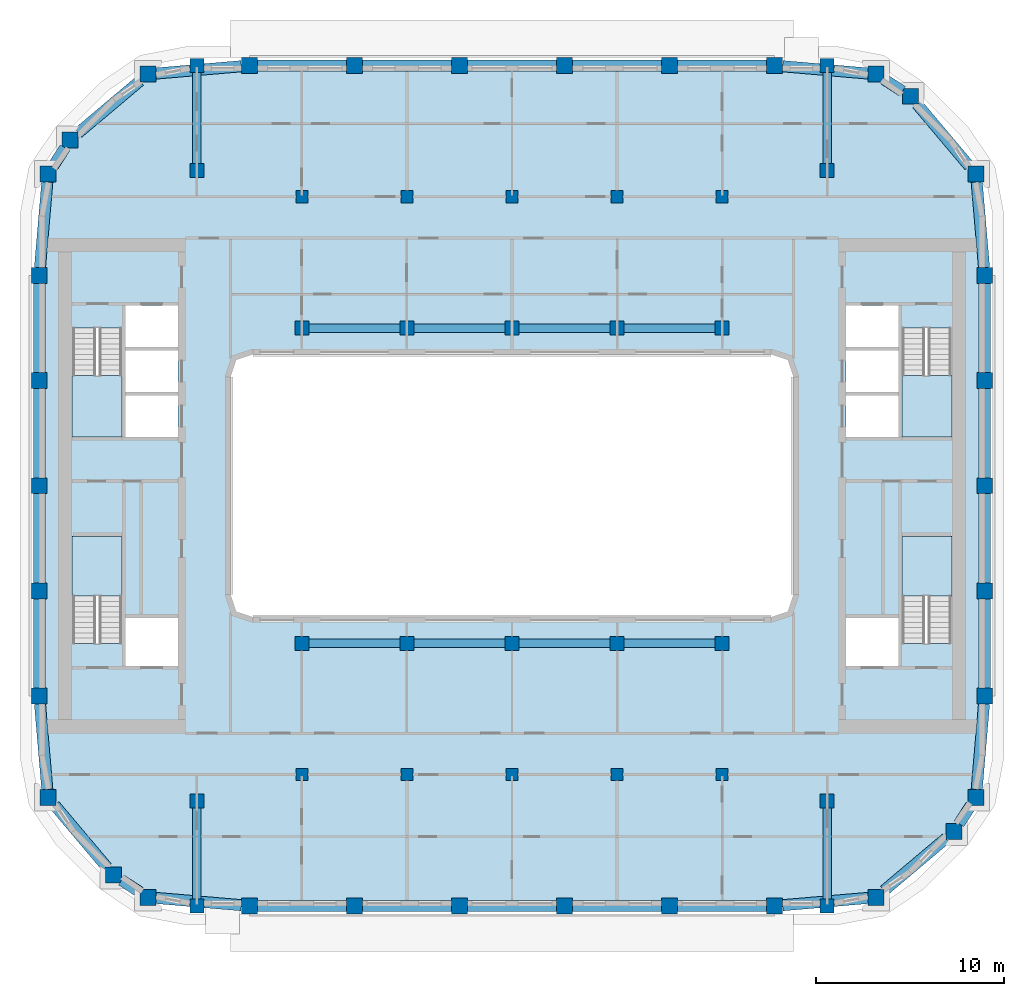
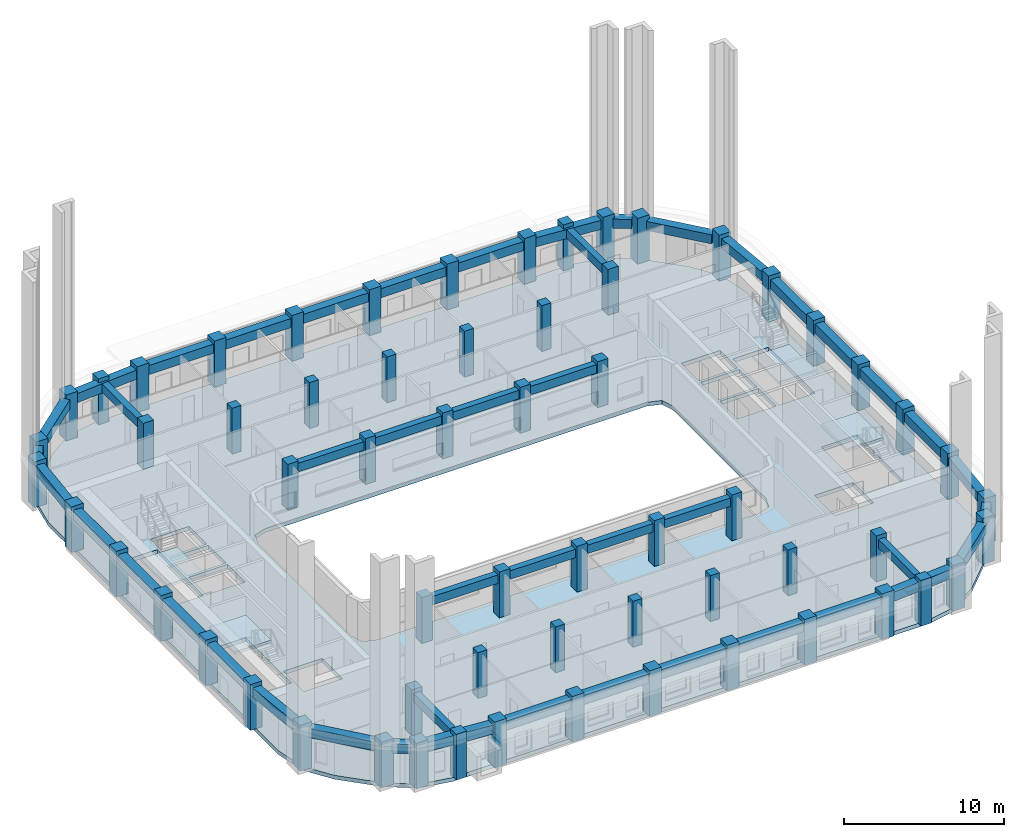
# One storey, part 1 of 21: 62 columns, 46 beams, 5 slabs, 4 elements without a shape of their own.
"""IFC4 building model written with IfcOpenShell, lengths in metres."""

import ifcopenshell
import ifcopenshell.guid

model = None  # the IFC model being written
_history = None  # IfcOwnerHistory: only IFC2X3 demands one
_inside = {}  # id of a spatial element -> (the spatial element, [elements in it])
_under = {}  # id of a project, library or spatial element -> (it, [spatial elements below it])
_declared = {}  # id of a project -> (the project, [libraries it declares])
_typed = {}  # id of a type object -> (the type object, [elements of that type])
_made_of = {}  # id of a material, layer set ... -> (it, [elements and type objects made of it])


def new_model(schema):
    """Start an empty IFC model of exactly this schema.

    Asked for "IFC4X3", IfcOpenShell would pick the latest addendum, in which some entities
    have other attributes; the version numbers below select the first issue.
    IFC2X3 requires an IfcOwnerHistory on every rooted entity: one is made here for all.
    """
    global model, _history
    if schema == "IFC4X3":
        model = ifcopenshell.file(schema_version=(4, 3, 0, 0))
    else:
        model = ifcopenshell.file(schema=schema)
    _inside.clear()
    _under.clear()
    _declared.clear()
    _typed.clear()
    _made_of.clear()
    _history = None
    if model.schema == "IFC2X3":
        org = make("IfcOrganization", Name="unknown")
        user = make(
            "IfcPersonAndOrganization",
            ThePerson=make("IfcPerson", FamilyName="unknown"),
            TheOrganization=org,
        )
        app = make(
            "IfcApplication",
            ApplicationDeveloper=org,
            Version="unknown",
            ApplicationFullName="unknown",
            ApplicationIdentifier="unknown",
        )
        _history = make(
            "IfcOwnerHistory",
            OwningUser=user,
            OwningApplication=app,
            ChangeAction="ADDED",
            CreationDate=0,
        )
    return model


def make(cls, **values):
    """One entity of the class cls with the attributes given. An attribute that is None is left unset."""
    return model.create_entity(
        cls, **{name: value for name, value in values.items() if value is not None}
    )


def rooted(cls, **values):
    """An entity with a GlobalId (a new one), such as an element, a storey or a relation."""
    return make(cls, GlobalId=ifcopenshell.guid.new(), OwnerHistory=_history, **values)


def si_unit(unit_type, name, prefix=None):
    """IfcSIUnit, for example si_unit("LENGTHUNIT", "METRE", prefix="MILLI")."""
    return make("IfcSIUnit", UnitType=unit_type, Prefix=prefix, Name=name)


def assignment(units):
    """IfcUnitAssignment: the units of a project."""
    return None if units is None else make("IfcUnitAssignment", Units=units)


def point(xyz):
    """IfcCartesianPoint."""
    return None if xyz is None else make("IfcCartesianPoint", Coordinates=xyz)


def direction(xyz):
    """IfcDirection."""
    return None if xyz is None else make("IfcDirection", DirectionRatios=xyz)


def frame(location, z_axis=None, x_axis=None):
    """IfcAxis2Placement3D, a coordinate frame: its origin and axes. An axis left out is left unset."""
    return make(
        "IfcAxis2Placement3D",
        Location=point(location),
        Axis=direction(z_axis),
        RefDirection=direction(x_axis),
    )


def frame_2d(location, x_axis=None):
    """IfcAxis2Placement2D, a coordinate frame in the plane: its origin and x axis."""
    return make(
        "IfcAxis2Placement2D", Location=point(location), RefDirection=direction(x_axis)
    )


def origin():
    """The frame at (0, 0, 0) with its axes left unset."""
    return frame((0.0, 0.0, 0.0))


def origin_2d():
    """The frame at (0, 0) in the plane with its x axis left unset."""
    return frame_2d((0.0, 0.0))


def place(relative_to, where):
    """IfcLocalPlacement: puts the frame where relative to a parent placement (None: the world)."""
    return make(
        "IfcLocalPlacement", PlacementRelTo=relative_to, RelativePlacement=where
    )


def context(
    kind, dimensions, precision=None, world=None, true_north=None, identifier=None
):
    """IfcGeometricRepresentationContext, for example the 3D "Model" context."""
    return make(
        "IfcGeometricRepresentationContext",
        ContextIdentifier=identifier,
        ContextType=kind,
        CoordinateSpaceDimension=dimensions,
        Precision=precision,
        WorldCoordinateSystem=world,
        TrueNorth=true_north,
    )


def subcontext(parent, identifier, kind, view, scale=None):
    """IfcGeometricRepresentationSubContext, for example "Body" below "Model"."""
    return make(
        "IfcGeometricRepresentationSubContext",
        ContextIdentifier=identifier,
        ContextType=kind,
        ParentContext=parent,
        TargetScale=scale,
        TargetView=view,
    )


def project(units=None, contexts=None):
    """IfcProject with its units and contexts."""
    return rooted(
        "IfcProject",
        Name="project",
        RepresentationContexts=contexts,
        UnitsInContext=assignment(units),
    )


def spatial(cls, under=None, at=None, **own):
    """A site, building, storey or space (cls), placed at a placement, below another one or the project."""
    s = rooted(cls, ObjectPlacement=at, **own)
    if under is not None:
        _under.setdefault(under.id(), (under, []))[1].append(s)
    return s


def polyline(points):
    """IfcPolyline through the points."""
    return make("IfcPolyline", Points=[point(p) for p in points])


def profile(cls, at=None, kind="AREA", **sizes):
    """A parametric profile (cls). Its sizes go by their IFC names, for example OverallWidth=200.0."""
    return make(cls, ProfileType=kind, Position=at, **sizes)


def rectangle(**sizes):
    """IfcRectangleProfileDef."""
    return profile("IfcRectangleProfileDef", **sizes)


def outline(outer, holes=None, kind="AREA"):
    """IfcArbitraryClosedProfileDef: a profile drawn as a closed curve; with holes, ...WithVoids."""
    if holes is None:
        return make("IfcArbitraryClosedProfileDef", ProfileType=kind, OuterCurve=outer)
    return make(
        "IfcArbitraryProfileDefWithVoids",
        ProfileType=kind,
        OuterCurve=outer,
        InnerCurves=holes,
    )


def extrude(swept, where, along, depth):
    """IfcExtrudedAreaSolid: the profile swept, set in the frame where, extruded along a direction by depth."""
    return make(
        "IfcExtrudedAreaSolid",
        SweptArea=swept,
        Position=where,
        ExtrudedDirection=direction(along),
        Depth=depth,
    )


def shape(context_of_items, identifier, shape_type, items):
    """IfcShapeRepresentation: the items that make up one representation, for example the "Body"."""
    return make(
        "IfcShapeRepresentation",
        ContextOfItems=context_of_items,
        RepresentationIdentifier=identifier,
        RepresentationType=shape_type,
        Items=items,
    )


def material(Name=None, Category=None):
    """IfcMaterial."""
    return make("IfcMaterial", Name=Name, Category=Category)


def layer(
    of_material, thickness, ventilated=None, Name=None, Category=None, Priority=None
):
    """IfcMaterialLayer: one layer of a wall or slab, of a material (None: an air gap)."""
    return make(
        "IfcMaterialLayer",
        Material=of_material,
        LayerThickness=thickness,
        IsVentilated=ventilated,
        Name=Name,
        Category=Category,
        Priority=Priority,
    )


def layer_set(layers, Name=None):
    """IfcMaterialLayerSet."""
    return make("IfcMaterialLayerSet", MaterialLayers=layers, LayerSetName=Name)


def material_profile(
    of_material, cross_section, Name=None, Category=None, Priority=None
):
    """IfcMaterialProfile: a cross section and its material."""
    return make(
        "IfcMaterialProfile",
        Name=Name,
        Material=of_material,
        Profile=cross_section,
        Priority=Priority,
        Category=Category,
    )


def profile_set(profiles, Name=None, composite=None):
    """IfcMaterialProfileSet."""
    return make(
        "IfcMaterialProfileSet",
        Name=Name,
        MaterialProfiles=profiles,
        CompositeProfile=composite,
    )


def made_of(thing, what):
    """Note that an element or type object is made of a material, layer set ...; save() writes the relation."""
    if what is not None:
        _made_of.setdefault(what.id(), (what, []))[1].append(thing)
    return thing


def type_object(cls, material=None, **own):
    """A type object (cls), such as IfcWallType, which elements share."""
    return made_of(rooted(cls, **own), material)


def element(
    cls,
    number,
    at=None,
    inside=None,
    cuts=None,
    type_object=None,
    material=None,
    context=None,
    identifier="Body",
    shape_type=None,
    held_by="IfcProductDefinitionShape",
    body=None,
    shapes=None,
    **own,
):
    """One element of the class cls, such as IfcWall. Its Tag is "e" and its number.

    at: its placement. inside: the storey or other place that contains it. cuts: it is an
    opening in that element (IfcRelVoidsElement). A single representation is given by context,
    identifier, shape_type and body (its items); several are given by shapes. held_by: the class
    of the entity that holds the representations. save() writes the other relations.
    """
    e = rooted(cls, Tag="e%d" % number, ObjectPlacement=at, **own)
    if body is not None:
        shapes = [shape(context, identifier, shape_type, body)]
    if shapes is not None:
        e.Representation = make(held_by, Representations=shapes)
    if inside is not None:
        _inside.setdefault(inside.id(), (inside, []))[1].append(e)
    if cuts is not None:
        rooted(
            "IfcRelVoidsElement", RelatingBuildingElement=cuts, RelatedOpeningElement=e
        )
    if type_object is not None:
        _typed.setdefault(type_object.id(), (type_object, []))[1].append(e)
    return made_of(e, material)


def aggregate(whole, parts):
    """IfcRelAggregates: a whole, such as a stair, and the parts it consists of."""
    return rooted("IfcRelAggregates", RelatingObject=whole, RelatedObjects=parts)


def save(model, path):
    """Write the relations noted so far, then the file.

    IfcRelAggregates (storeys below a building ...), IfcRelContainedInSpatialStructure (elements
    in a storey), IfcRelDefinesByType, IfcRelAssociatesMaterial and IfcRelDeclares: one each for
    every whole, place, type object, material and project.
    """
    for whole, parts in _under.values():
        aggregate(whole, parts)
    for where, things in _inside.values():
        rooted(
            "IfcRelContainedInSpatialStructure",
            RelatedElements=things,
            RelatingStructure=where,
        )
    for kind, things in _typed.values():
        rooted("IfcRelDefinesByType", RelatedObjects=things, RelatingType=kind)
    for what, things in _made_of.values():
        rooted("IfcRelAssociatesMaterial", RelatedObjects=things, RelatingMaterial=what)
    for by, libraries in _declared.values():
        rooted("IfcRelDeclares", RelatingContext=by, RelatedDefinitions=libraries)
    model.write(path)


model = new_model("IFC4")

# Units and contexts
model_context = context("Model", 3, precision=1e-05, world=origin(), true_north=direction((0.0, 1.0)))
body_context = subcontext(model_context, "Body", "Model", "MODEL_VIEW")
ifc_project = project(units=[si_unit("LENGTHUNIT", "METRE"), si_unit("AREAUNIT", "SQUARE_METRE"), si_unit("VOLUMEUNIT", "CUBIC_METRE"), si_unit("PLANEANGLEUNIT", "RADIAN"), si_unit("MASSUNIT", "GRAM", prefix="KILO")], contexts=[model_context])

# Site, building, storey
site_placement = place(None, origin())
site = spatial("IfcSite", under=ifc_project, at=site_placement, CompositionType="ELEMENT")
building_placement = place(site_placement, origin())
building = spatial("IfcBuilding", under=site, at=building_placement, Name="Kiln Ring Residences", CompositionType="ELEMENT")
storey_placement = place(building_placement, frame((0.0, 0.0, 213.39990234375)))
storey = spatial("IfcBuildingStorey", under=building, at=storey_placement, Name="L55", CompositionType="ELEMENT", Elevation=213.39990234375)

# Columns
ifc_material_1 = material(Name="Concrete C70/85", Category="concrete")
ifc_material_profile_1 = material_profile(ifc_material_1, rectangle(XDim=0.64990234375, YDim=0.64990234375, at=origin_2d()), Name="RC650x650")
ifc_profile_set_1 = profile_set([ifc_material_profile_1], Name="Concrete C70/85")
column_type_1 = type_object("IfcColumnType", Name="Corridor column RC650x650 C70/85", PredefinedType="COLUMN", material=ifc_profile_set_1)
for number, where, z_axis, x_axis, name in (
    (1, (-11.199951171875, 15.39990234375, 0.0), (0.0, 0.0, 1.0), (1.0, 0.0, 0.0), "Corridor column L55 1"),
    (2, (-5.60009765625, 15.39990234375, 0.0), (0.0, 0.0, 1.0), (1.0, 0.0, 0.0), "Corridor column L55 2"),
    (3, (0.0, 15.39990234375, 0.0), (0.0, 0.0, 1.0), (1.0, 0.0, 0.0), "Corridor column L55 3"),
    (4, (5.60009765625, 15.39990234375, 0.0), (0.0, 0.0, 1.0), (1.0, 0.0, 0.0), "Corridor column L55 4"),
    (5, (11.199951171875, 15.39990234375, 0.0), (0.0, 0.0, 1.0), (1.0, 0.0, 0.0), "Corridor column L55 5"),
    (6, (-11.199951171875, -15.39990234375, 0.0), (0.0, 0.0, 1.0), (1.0, 0.0, 0.0), "Corridor column L55 6"),
    (7, (-5.60009765625, -15.39990234375, 0.0), (0.0, 0.0, 1.0), (1.0, 0.0, 0.0), "Corridor column L55 7"),
    (8, (0.0, -15.39990234375, 0.0), (0.0, 0.0, 1.0), (1.0, 0.0, 0.0), "Corridor column L55 8"),
    (9, (5.60009765625, -15.39990234375, 0.0), (0.0, 0.0, 1.0), (1.0, 0.0, 0.0), "Corridor column L55 9"),
    (10, (11.199951171875, -15.39990234375, 0.0), (0.0, 0.0, 1.0), (1.0, 0.0, 0.0), "Corridor column L55 10"),
):
    element("IfcColumn", number, at=place(storey_placement, frame(where, z_axis=z_axis, x_axis=x_axis)), inside=storey, type_object=column_type_1, Name=name, PredefinedType="COLUMN", context=body_context, shape_type="SweptSolid", body=[
        extrude(rectangle(XDim=0.64990234375, YDim=0.64990234375, at=origin_2d()), origin(), (0.0, 0.0, 1.0), 3.5),
    ])
ifc_material_2 = material(Name="Concrete C70/85", Category="concrete")
ifc_material_profile_2 = material_profile(ifc_material_2, rectangle(XDim=0.85009765625, YDim=0.85009765625, at=origin_2d()), Name="RC850x850")
ifc_profile_set_2 = profile_set([ifc_material_profile_2], Name="Concrete C70/85")
column_type_2 = type_object("IfcColumnType", Name="Perimeter column RC850x850 C70/85", PredefinedType="COLUMN", material=ifc_profile_set_2)
for number, where, z_axis, x_axis, name in (
    (11, (-19.40869140625, -21.93798828125, 0.0), (0.0, 0.0, 1.0), (1.0, 0.0, 0.0), "Perimeter column L55 1"),
    (12, (-14.0, -22.39990234375, 0.0), (0.0, 0.0, 1.0), (1.0, 0.0, 0.0), "Perimeter column L55 2"),
    (13, (-8.39990234375, -22.39990234375, 0.0), (0.0, 0.0, 1.0), (1.0, 0.0, 0.0), "Perimeter column L55 3"),
    (14, (-2.800048828125, -22.39990234375, 0.0), (0.0, 0.0, 1.0), (1.0, 0.0, 0.0), "Perimeter column L55 4"),
    (15, (2.800048828125, -22.39990234375, 0.0), (0.0, 0.0, 1.0), (1.0, 0.0, 0.0), "Perimeter column L55 5"),
    (16, (8.39990234375, -22.39990234375, 0.0), (0.0, 0.0, 1.0), (1.0, 0.0, 0.0), "Perimeter column L55 6"),
    (17, (14.0, -22.39990234375, 0.0), (0.0, 0.0, 1.0), (1.0, 0.0, 0.0), "Perimeter column L55 7"),
    (18, (19.40869140625, -21.93798828125, 0.0), (0.0, 0.0, 1.0), (1.0, 0.0, 0.0), "Perimeter column L55 8"),
    (19, (23.559814453125, -18.440185546875, 0.0), (0.0, 0.0, 1.0), (1.0, 0.0, 0.0), "Perimeter column L55 9"),
    (20, (24.738037109375, -16.608642578125, 0.0), (0.0, 0.0, 1.0), (1.0, 0.0, 0.0), "Perimeter column L55 10"),
    (21, (25.199951171875, -11.199951171875, 0.0), (0.0, 0.0, 1.0), (1.0, 0.0, 0.0), "Perimeter column L55 11"),
    (22, (25.199951171875, -5.60009765625, 0.0), (0.0, 0.0, 1.0), (1.0, 0.0, 0.0), "Perimeter column L55 12"),
    (23, (25.199951171875, 0.0, 0.0), (0.0, 0.0, 1.0), (1.0, 0.0, 0.0), "Perimeter column L55 13"),
    (24, (25.199951171875, 5.60009765625, 0.0), (0.0, 0.0, 1.0), (1.0, 0.0, 0.0), "Perimeter column L55 14"),
    (25, (25.199951171875, 11.199951171875, 0.0), (0.0, 0.0, 1.0), (1.0, 0.0, 0.0), "Perimeter column L55 15"),
    (26, (24.738037109375, 16.608642578125, 0.0), (0.0, 0.0, 1.0), (1.0, 0.0, 0.0), "Perimeter column L55 16"),
    (27, (21.240234375, 20.759765625, 0.0), (0.0, 0.0, 1.0), (1.0, 0.0, 0.0), "Perimeter column L55 17"),
    (28, (19.40869140625, 21.93798828125, 0.0), (0.0, 0.0, 1.0), (1.0, 0.0, 0.0), "Perimeter column L55 18"),
    (29, (14.0, 22.39990234375, 0.0), (0.0, 0.0, 1.0), (1.0, 0.0, 0.0), "Perimeter column L55 19"),
    (30, (8.39990234375, 22.39990234375, 0.0), (0.0, 0.0, 1.0), (1.0, 0.0, 0.0), "Perimeter column L55 20"),
    (31, (2.800048828125, 22.39990234375, 0.0), (0.0, 0.0, 1.0), (1.0, 0.0, 0.0), "Perimeter column L55 21"),
    (32, (-2.800048828125, 22.39990234375, 0.0), (0.0, 0.0, 1.0), (1.0, 0.0, 0.0), "Perimeter column L55 22"),
    (33, (-8.39990234375, 22.39990234375, 0.0), (0.0, 0.0, 1.0), (1.0, 0.0, 0.0), "Perimeter column L55 23"),
    (34, (-14.0, 22.39990234375, 0.0), (0.0, 0.0, 1.0), (1.0, 0.0, 0.0), "Perimeter column L55 24"),
    (35, (-19.40869140625, 21.93798828125, 0.0), (0.0, 0.0, 1.0), (1.0, 0.0, 0.0), "Perimeter column L55 25"),
    (36, (-23.559814453125, 18.440185546875, 0.0), (0.0, 0.0, 1.0), (1.0, 0.0, 0.0), "Perimeter column L55 26"),
    (37, (-24.738037109375, 16.608642578125, 0.0), (0.0, 0.0, 1.0), (1.0, 0.0, 0.0), "Perimeter column L55 27"),
    (38, (-25.199951171875, 11.199951171875, 0.0), (0.0, 0.0, 1.0), (1.0, 0.0, 0.0), "Perimeter column L55 28"),
    (39, (-25.199951171875, 5.60009765625, 0.0), (0.0, 0.0, 1.0), (1.0, 0.0, 0.0), "Perimeter column L55 29"),
    (40, (-25.199951171875, 0.0, 0.0), (0.0, 0.0, 1.0), (1.0, 0.0, 0.0), "Perimeter column L55 30"),
    (41, (-25.199951171875, -5.60009765625, 0.0), (0.0, 0.0, 1.0), (1.0, 0.0, 0.0), "Perimeter column L55 31"),
    (42, (-25.199951171875, -11.199951171875, 0.0), (0.0, 0.0, 1.0), (1.0, 0.0, 0.0), "Perimeter column L55 32"),
    (43, (-24.738037109375, -16.608642578125, 0.0), (0.0, 0.0, 1.0), (1.0, 0.0, 0.0), "Perimeter column L55 33"),
    (44, (-21.240234375, -20.759765625, 0.0), (0.0, 0.0, 1.0), (1.0, 0.0, 0.0), "Perimeter column L55 34"),
):
    element("IfcColumn", number, at=place(storey_placement, frame(where, z_axis=z_axis, x_axis=x_axis)), inside=storey, type_object=column_type_2, Name=name, PredefinedType="COLUMN", context=body_context, shape_type="SweptSolid", body=[
        extrude(rectangle(XDim=0.85009765625, YDim=0.85009765625, at=origin_2d()), origin(), (0.0, 0.0, 1.0), 3.5),
    ])
ifc_material_3 = material(Name="Concrete C70/85", Category="concrete")
ifc_material_profile_3 = material_profile(ifc_material_3, rectangle(XDim=0.75, YDim=0.75, at=origin_2d()), Name="RC750x750")
ifc_profile_set_3 = profile_set([ifc_material_profile_3], Name="Concrete C70/85")
column_type_3 = type_object("IfcColumnType", Name="Ring column RC750x750 C70/85", PredefinedType="COLUMN", material=ifc_profile_set_3)
for number, where, z_axis, x_axis, name in (
    (45, (-16.800048828125, -22.39990234375, 0.0), (0.0, 0.0, 1.0), (1.0, 0.0, 0.0), "Ring column L55 1"),
    (46, (-16.800048828125, -16.800048828125, 0.0), (0.0, 0.0, 1.0), (1.0, 0.0, 0.0), "Ring column L55 2"),
    (47, (-16.800048828125, 16.800048828125, 0.0), (0.0, 0.0, 1.0), (1.0, 0.0, 0.0), "Ring column L55 3"),
    (48, (-16.800048828125, 22.39990234375, 0.0), (0.0, 0.0, 1.0), (1.0, 0.0, 0.0), "Ring column L55 4"),
    (49, (-11.199951171875, -8.39990234375, 0.0), (0.0, 0.0, 1.0), (1.0, 0.0, 0.0), "Ring column L55 5"),
    (50, (-11.199951171875, 8.39990234375, 0.0), (0.0, 0.0, 1.0), (1.0, 0.0, 0.0), "Ring column L55 6"),
    (51, (-5.60009765625, -8.39990234375, 0.0), (0.0, 0.0, 1.0), (1.0, 0.0, 0.0), "Ring column L55 7"),
    (52, (-5.60009765625, 8.39990234375, 0.0), (0.0, 0.0, 1.0), (1.0, 0.0, 0.0), "Ring column L55 8"),
    (53, (0.0, -8.39990234375, 0.0), (0.0, 0.0, 1.0), (1.0, 0.0, 0.0), "Ring column L55 9"),
    (54, (0.0, 8.39990234375, 0.0), (0.0, 0.0, 1.0), (1.0, 0.0, 0.0), "Ring column L55 10"),
    (55, (5.60009765625, -8.39990234375, 0.0), (0.0, 0.0, 1.0), (1.0, 0.0, 0.0), "Ring column L55 11"),
    (56, (5.60009765625, 8.39990234375, 0.0), (0.0, 0.0, 1.0), (1.0, 0.0, 0.0), "Ring column L55 12"),
    (57, (11.199951171875, -8.39990234375, 0.0), (0.0, 0.0, 1.0), (1.0, 0.0, 0.0), "Ring column L55 13"),
    (58, (11.199951171875, 8.39990234375, 0.0), (0.0, 0.0, 1.0), (1.0, 0.0, 0.0), "Ring column L55 14"),
    (59, (16.800048828125, -22.39990234375, 0.0), (0.0, 0.0, 1.0), (1.0, 0.0, 0.0), "Ring column L55 15"),
    (60, (16.800048828125, -16.800048828125, 0.0), (0.0, 0.0, 1.0), (1.0, 0.0, 0.0), "Ring column L55 16"),
    (61, (16.800048828125, 16.800048828125, 0.0), (0.0, 0.0, 1.0), (1.0, 0.0, 0.0), "Ring column L55 17"),
    (62, (16.800048828125, 22.39990234375, 0.0), (0.0, 0.0, 1.0), (1.0, 0.0, 0.0), "Ring column L55 18"),
):
    element("IfcColumn", number, at=place(storey_placement, frame(where, z_axis=z_axis, x_axis=x_axis)), inside=storey, type_object=column_type_3, Name=name, PredefinedType="COLUMN", context=body_context, shape_type="SweptSolid", body=[
        extrude(rectangle(XDim=0.75, YDim=0.75, at=origin_2d()), origin(), (0.0, 0.0, 1.0), 3.5),
    ])

# Beams
ifc_material_4 = material(Name="Concrete C50/60", Category="concrete")
ifc_material_profile_4 = material_profile(ifc_material_4, rectangle(XDim=0.449951171875, YDim=0.64990234375, at=origin_2d()), Name="RC450x650")
ifc_profile_set_4 = profile_set([ifc_material_profile_4], Name="Concrete C50/60")
beam_type_1 = type_object("IfcBeamType", Name="Ring beam RC450x650 C50/60", PredefinedType="BEAM", material=ifc_profile_set_4)
beam_1_placement = place(storey_placement, frame((-10.824951171875, -8.39990234375, 2.875), z_axis=(1.0, 0.0, 0.0), x_axis=(0.0, 1.0, 0.0)))
element("IfcBeam", 63, at=beam_1_placement, inside=storey, type_object=beam_type_1, Name="Ring beam L55 1", PredefinedType="BEAM", context=body_context, shape_type="SweptSolid", body=[
    extrude(rectangle(XDim=0.449951171875, YDim=0.64990234375, at=origin_2d()), origin(), (0.0, 0.0, 1.0), 4.849853515625),
])
for number, where, z_axis, x_axis, name in (
    (64, (-5.22509765625, -8.39990234375, 2.875), (1.0, 0.0, 0.0), (0.0, 1.0, 0.0), "Ring beam L55 2"),
    (65, (0.375, -8.39990234375, 2.875), (1.0, 0.0, 0.0), (0.0, 1.0, 0.0), "Ring beam L55 3"),
):
    element("IfcBeam", number, at=place(storey_placement, frame(where, z_axis=z_axis, x_axis=x_axis)), inside=storey, type_object=beam_type_1, Name=name, PredefinedType="BEAM", context=body_context, shape_type="SweptSolid", body=[
        extrude(rectangle(XDim=0.449951171875, YDim=0.64990234375, at=origin_2d()), origin(), (0.0, 0.0, 1.0), 4.85009765625),
    ])
for number, where, z_axis, x_axis, name in (
    (66, (5.97509765625, -8.39990234375, 2.875), (1.0, 0.0, 0.0), (0.0, 1.0, 0.0), "Ring beam L55 4"),
    (67, (-10.824951171875, 8.39990234375, 2.875), (1.0, 0.0, 0.0), (0.0, 1.0, 0.0), "Ring beam L55 5"),
):
    element("IfcBeam", number, at=place(storey_placement, frame(where, z_axis=z_axis, x_axis=x_axis)), inside=storey, type_object=beam_type_1, Name=name, PredefinedType="BEAM", context=body_context, shape_type="SweptSolid", body=[
        extrude(rectangle(XDim=0.449951171875, YDim=0.64990234375, at=origin_2d()), origin(), (0.0, 0.0, 1.0), 4.849853515625),
    ])
for number, where, z_axis, x_axis, name in (
    (68, (-5.22509765625, 8.39990234375, 2.875), (1.0, 0.0, 0.0), (0.0, 1.0, 0.0), "Ring beam L55 6"),
    (69, (0.375, 8.39990234375, 2.875), (1.0, 0.0, 0.0), (0.0, 1.0, 0.0), "Ring beam L55 7"),
):
    element("IfcBeam", number, at=place(storey_placement, frame(where, z_axis=z_axis, x_axis=x_axis)), inside=storey, type_object=beam_type_1, Name=name, PredefinedType="BEAM", context=body_context, shape_type="SweptSolid", body=[
        extrude(rectangle(XDim=0.449951171875, YDim=0.64990234375, at=origin_2d()), origin(), (0.0, 0.0, 1.0), 4.85009765625),
    ])
for number, where, z_axis, x_axis, name in (
    (70, (5.97509765625, 8.39990234375, 2.875), (1.0, 0.0, 0.0), (0.0, 1.0, 0.0), "Ring beam L55 8"),
    (71, (-16.800048828125, -17.175048828125, 2.875), (0.0, -1.0, 0.0), (1.0, 0.0, 0.0), "Ring beam L55 9"),
    (72, (-16.800048828125, 17.175048828125, 2.875), (0.0, 1.0, 0.0), (-1.0, 0.0, 0.0), "Ring beam L55 10"),
    (73, (16.800048828125, -17.175048828125, 2.875), (0.0, -1.0, 0.0), (1.0, 0.0, 0.0), "Ring beam L55 11"),
    (74, (16.800048828125, 17.175048828125, 2.875), (0.0, 1.0, 0.0), (-1.0, 0.0, 0.0), "Ring beam L55 12"),
):
    element("IfcBeam", number, at=place(storey_placement, frame(where, z_axis=z_axis, x_axis=x_axis)), inside=storey, type_object=beam_type_1, Name=name, PredefinedType="BEAM", context=body_context, shape_type="SweptSolid", body=[
        extrude(rectangle(XDim=0.449951171875, YDim=0.64990234375, at=origin_2d()), origin(), (0.0, 0.0, 1.0), 4.849853515625),
    ])
ifc_material_5 = material(Name="Concrete C50/60", Category="concrete")
ifc_material_profile_5 = material_profile(ifc_material_5, rectangle(XDim=0.60009765625, YDim=0.699951171875, at=origin_2d()), Name="RC600x700")
ifc_profile_set_5 = profile_set([ifc_material_profile_5], Name="Concrete C50/60")
beam_type_2 = type_object("IfcBeamType", Name="Spandrel beam RC600x700 C50/60", PredefinedType="SPANDREL", material=ifc_profile_set_5)
beam_2_placement = place(storey_placement, frame((-18.983642578125, -21.974365234375, 2.85009765625), z_axis=(0.996371385312, -0.085112058675, 0.0), x_axis=(0.085112058675, 0.996371385312, 0.0)))
element("IfcBeam", 75, at=beam_2_placement, inside=storey, type_object=beam_type_2, Name="Spandrel beam L55 1", PredefinedType="SPANDREL", context=body_context, shape_type="SweptSolid", body=[
    extrude(rectangle(XDim=0.60009765625, YDim=0.699951171875, at=origin_2d()), origin(), (0.0, 0.0, 1.0), 4.5751953125),
])
for number, where, z_axis, x_axis, name in (
    (76, (-13.574951171875, -22.39990234375, 2.85009765625), (1.0, 0.0, 0.0), (0.0, 1.0, 0.0), "Spandrel beam L55 2"),
    (77, (-7.97509765625, -22.39990234375, 2.85009765625), (1.0, 0.0, 0.0), (0.0, 1.0, 0.0), "Spandrel beam L55 3"),
    (78, (-2.375, -22.39990234375, 2.85009765625), (1.0, 0.0, 0.0), (0.0, 1.0, 0.0), "Spandrel beam L55 4"),
    (79, (3.22509765625, -22.39990234375, 2.85009765625), (1.0, 0.0, 0.0), (0.0, 1.0, 0.0), "Spandrel beam L55 5"),
    (80, (8.824951171875, -22.39990234375, 2.85009765625), (1.0, 0.0, 0.0), (0.0, 1.0, 0.0), "Spandrel beam L55 6"),
):
    element("IfcBeam", number, at=place(storey_placement, frame(where, z_axis=z_axis, x_axis=x_axis)), inside=storey, type_object=beam_type_2, Name=name, PredefinedType="SPANDREL", context=body_context, shape_type="SweptSolid", body=[
        extrude(rectangle(XDim=0.60009765625, YDim=0.699951171875, at=origin_2d()), origin(), (0.0, 0.0, 1.0), 4.75),
    ])
beam_3_placement = place(storey_placement, frame((14.425048828125, -22.36376953125, 2.85009765625), z_axis=(0.996371385312, 0.085112058675, 0.0), x_axis=(-0.085112058675, 0.996371385312, 0.0)))
element("IfcBeam", 81, at=beam_3_placement, inside=storey, type_object=beam_type_2, Name="Spandrel beam L55 7", PredefinedType="SPANDREL", context=body_context, shape_type="SweptSolid", body=[
    extrude(rectangle(XDim=0.60009765625, YDim=0.699951171875, at=origin_2d()), origin(), (0.0, 0.0, 1.0), 4.5751953125),
])
beam_4_placement = place(storey_placement, frame((19.833740234375, -21.580078125, 2.85009765625), z_axis=(0.764691163306, 0.64439694658, 0.0), x_axis=(-0.64439694658, 0.764691163306, 0.0)))
element("IfcBeam", 82, at=beam_4_placement, inside=storey, type_object=beam_type_2, Name="Spandrel beam L55 8", PredefinedType="SPANDREL", context=body_context, shape_type="SweptSolid", body=[
    extrude(rectangle(XDim=0.60009765625, YDim=0.699951171875, at=origin_2d()), origin(), (0.0, 0.0, 1.0), 4.31689453125),
])
beam_5_placement = place(storey_placement, frame((23.833251953125, -18.01513671875, 2.85009765625), z_axis=(0.541011334995, 0.84101530034, 0.0), x_axis=(-0.84101530034, 0.541011334995, 0.0)))
element("IfcBeam", 83, at=beam_5_placement, inside=storey, type_object=beam_type_2, Name="Spandrel beam L55 9", PredefinedType="SPANDREL", context=body_context, shape_type="SweptSolid", body=[
    extrude(rectangle(XDim=0.60009765625, YDim=0.699951171875, at=origin_2d()), origin(), (0.0, 0.0, 1.0), 1.1669921875),
])
beam_6_placement = place(storey_placement, frame((24.7744140625, -16.18359375, 2.85009765625), z_axis=(0.085112058675, 0.996371385312, 0.0), x_axis=(-0.996371385312, 0.085112058675, 0.0)))
element("IfcBeam", 84, at=beam_6_placement, inside=storey, type_object=beam_type_2, Name="Spandrel beam L55 10", PredefinedType="SPANDREL", context=body_context, shape_type="SweptSolid", body=[
    extrude(rectangle(XDim=0.60009765625, YDim=0.699951171875, at=origin_2d()), origin(), (0.0, 0.0, 1.0), 4.5751953125),
])
for number, where, z_axis, x_axis, name in (
    (85, (25.199951171875, -10.77490234375, 2.85009765625), (0.0, 1.0, 0.0), (-1.0, 0.0, 0.0), "Spandrel beam L55 11"),
    (86, (25.199951171875, -5.175048828125, 2.85009765625), (0.0, 1.0, 0.0), (-1.0, 0.0, 0.0), "Spandrel beam L55 12"),
    (87, (25.199951171875, 0.425048828125, 2.85009765625), (0.0, 1.0, 0.0), (-1.0, 0.0, 0.0), "Spandrel beam L55 13"),
    (88, (25.199951171875, 6.02490234375, 2.85009765625), (0.0, 1.0, 0.0), (-1.0, 0.0, 0.0), "Spandrel beam L55 14"),
):
    element("IfcBeam", number, at=place(storey_placement, frame(where, z_axis=z_axis, x_axis=x_axis)), inside=storey, type_object=beam_type_2, Name=name, PredefinedType="SPANDREL", context=body_context, shape_type="SweptSolid", body=[
        extrude(rectangle(XDim=0.60009765625, YDim=0.699951171875, at=origin_2d()), origin(), (0.0, 0.0, 1.0), 4.75),
    ])
beam_7_placement = place(storey_placement, frame((25.163818359375, 11.625, 2.85009765625), z_axis=(-0.085112058675, 0.996371385312, 0.0), x_axis=(-0.996371385312, -0.085112058675, 0.0)))
element("IfcBeam", 89, at=beam_7_placement, inside=storey, type_object=beam_type_2, Name="Spandrel beam L55 15", PredefinedType="SPANDREL", context=body_context, shape_type="SweptSolid", body=[
    extrude(rectangle(XDim=0.60009765625, YDim=0.699951171875, at=origin_2d()), origin(), (0.0, 0.0, 1.0), 4.5751953125),
])
beam_8_placement = place(storey_placement, frame((24.3798828125, 17.03369140625, 2.85009765625), z_axis=(-0.644363873614, 0.764719032313, 0.0), x_axis=(-0.764719032313, -0.644363873614, 0.0)))
element("IfcBeam", 90, at=beam_8_placement, inside=storey, type_object=beam_type_2, Name="Spandrel beam L55 16", PredefinedType="SPANDREL", context=body_context, shape_type="SweptSolid", body=[
    extrude(rectangle(XDim=0.60009765625, YDim=0.699951171875, at=origin_2d()), origin(), (0.0, 0.0, 1.0), 4.316650390625),
])
beam_9_placement = place(storey_placement, frame((20.815185546875, 21.033203125, 2.85009765625), z_axis=(-0.840920108806, 0.54115928395, 0.0), x_axis=(-0.54115928395, -0.840920108806, 0.0)))
element("IfcBeam", 91, at=beam_9_placement, inside=storey, type_object=beam_type_2, Name="Spandrel beam L55 17", PredefinedType="SPANDREL", context=body_context, shape_type="SweptSolid", body=[
    extrude(rectangle(XDim=0.60009765625, YDim=0.699951171875, at=origin_2d()), origin(), (0.0, 0.0, 1.0), 1.1669921875),
])
beam_10_placement = place(storey_placement, frame((18.983642578125, 21.974365234375, 2.85009765625), z_axis=(-0.996371385312, 0.085112058675, 0.0), x_axis=(-0.085112058675, -0.996371385312, 0.0)))
element("IfcBeam", 92, at=beam_10_placement, inside=storey, type_object=beam_type_2, Name="Spandrel beam L55 18", PredefinedType="SPANDREL", context=body_context, shape_type="SweptSolid", body=[
    extrude(rectangle(XDim=0.60009765625, YDim=0.699951171875, at=origin_2d()), origin(), (0.0, 0.0, 1.0), 4.5751953125),
])
for number, where, z_axis, x_axis, name in (
    (93, (13.574951171875, 22.39990234375, 2.85009765625), (-1.0, 0.0, 0.0), (0.0, -1.0, 0.0), "Spandrel beam L55 19"),
    (94, (7.97509765625, 22.39990234375, 2.85009765625), (-1.0, 0.0, 0.0), (0.0, -1.0, 0.0), "Spandrel beam L55 20"),
    (95, (2.375, 22.39990234375, 2.85009765625), (-1.0, 0.0, 0.0), (0.0, -1.0, 0.0), "Spandrel beam L55 21"),
    (96, (-3.22509765625, 22.39990234375, 2.85009765625), (-1.0, 0.0, 0.0), (0.0, -1.0, 0.0), "Spandrel beam L55 22"),
    (97, (-8.824951171875, 22.39990234375, 2.85009765625), (-1.0, 0.0, 0.0), (0.0, -1.0, 0.0), "Spandrel beam L55 23"),
):
    element("IfcBeam", number, at=place(storey_placement, frame(where, z_axis=z_axis, x_axis=x_axis)), inside=storey, type_object=beam_type_2, Name=name, PredefinedType="SPANDREL", context=body_context, shape_type="SweptSolid", body=[
        extrude(rectangle(XDim=0.60009765625, YDim=0.699951171875, at=origin_2d()), origin(), (0.0, 0.0, 1.0), 4.75),
    ])
beam_11_placement = place(storey_placement, frame((-14.425048828125, 22.36376953125, 2.85009765625), z_axis=(-0.996371385312, -0.085112058675, 0.0), x_axis=(0.085112058675, -0.996371385312, 0.0)))
element("IfcBeam", 98, at=beam_11_placement, inside=storey, type_object=beam_type_2, Name="Spandrel beam L55 24", PredefinedType="SPANDREL", context=body_context, shape_type="SweptSolid", body=[
    extrude(rectangle(XDim=0.60009765625, YDim=0.699951171875, at=origin_2d()), origin(), (0.0, 0.0, 1.0), 4.5751953125),
])
beam_12_placement = place(storey_placement, frame((-19.833740234375, 21.580078125, 2.85009765625), z_axis=(-0.764691163306, -0.64439694658, 0.0), x_axis=(0.64439694658, -0.764691163306, 0.0)))
element("IfcBeam", 99, at=beam_12_placement, inside=storey, type_object=beam_type_2, Name="Spandrel beam L55 25", PredefinedType="SPANDREL", context=body_context, shape_type="SweptSolid", body=[
    extrude(rectangle(XDim=0.60009765625, YDim=0.699951171875, at=origin_2d()), origin(), (0.0, 0.0, 1.0), 4.31689453125),
])
beam_13_placement = place(storey_placement, frame((-23.833251953125, 18.01513671875, 2.85009765625), z_axis=(-0.541011334995, -0.84101530034, 0.0), x_axis=(0.84101530034, -0.541011334995, 0.0)))
element("IfcBeam", 100, at=beam_13_placement, inside=storey, type_object=beam_type_2, Name="Spandrel beam L55 26", PredefinedType="SPANDREL", context=body_context, shape_type="SweptSolid", body=[
    extrude(rectangle(XDim=0.60009765625, YDim=0.699951171875, at=origin_2d()), origin(), (0.0, 0.0, 1.0), 1.1669921875),
])
beam_14_placement = place(storey_placement, frame((-24.7744140625, 16.18359375, 2.85009765625), z_axis=(-0.085112058675, -0.996371385312, 0.0), x_axis=(0.996371385312, -0.085112058675, 0.0)))
element("IfcBeam", 101, at=beam_14_placement, inside=storey, type_object=beam_type_2, Name="Spandrel beam L55 27", PredefinedType="SPANDREL", context=body_context, shape_type="SweptSolid", body=[
    extrude(rectangle(XDim=0.60009765625, YDim=0.699951171875, at=origin_2d()), origin(), (0.0, 0.0, 1.0), 4.5751953125),
])
for number, where, z_axis, x_axis, name in (
    (102, (-25.199951171875, 10.77490234375, 2.85009765625), (0.0, -1.0, 0.0), (1.0, 0.0, 0.0), "Spandrel beam L55 28"),
    (103, (-25.199951171875, 5.175048828125, 2.85009765625), (0.0, -1.0, 0.0), (1.0, 0.0, 0.0), "Spandrel beam L55 29"),
    (104, (-25.199951171875, -0.425048828125, 2.85009765625), (0.0, -1.0, 0.0), (1.0, 0.0, 0.0), "Spandrel beam L55 30"),
    (105, (-25.199951171875, -6.02490234375, 2.85009765625), (0.0, -1.0, 0.0), (1.0, 0.0, 0.0), "Spandrel beam L55 31"),
):
    element("IfcBeam", number, at=place(storey_placement, frame(where, z_axis=z_axis, x_axis=x_axis)), inside=storey, type_object=beam_type_2, Name=name, PredefinedType="SPANDREL", context=body_context, shape_type="SweptSolid", body=[
        extrude(rectangle(XDim=0.60009765625, YDim=0.699951171875, at=origin_2d()), origin(), (0.0, 0.0, 1.0), 4.75),
    ])
beam_15_placement = place(storey_placement, frame((-25.163818359375, -11.625, 2.85009765625), z_axis=(0.085112058675, -0.996371385312, 0.0), x_axis=(0.996371385312, 0.085112058675, 0.0)))
element("IfcBeam", 106, at=beam_15_placement, inside=storey, type_object=beam_type_2, Name="Spandrel beam L55 32", PredefinedType="SPANDREL", context=body_context, shape_type="SweptSolid", body=[
    extrude(rectangle(XDim=0.60009765625, YDim=0.699951171875, at=origin_2d()), origin(), (0.0, 0.0, 1.0), 4.5751953125),
])
beam_16_placement = place(storey_placement, frame((-24.3798828125, -17.03369140625, 2.85009765625), z_axis=(0.644363873614, -0.764719032313, 0.0), x_axis=(0.764719032313, 0.644363873614, 0.0)))
element("IfcBeam", 107, at=beam_16_placement, inside=storey, type_object=beam_type_2, Name="Spandrel beam L55 33", PredefinedType="SPANDREL", context=body_context, shape_type="SweptSolid", body=[
    extrude(rectangle(XDim=0.60009765625, YDim=0.699951171875, at=origin_2d()), origin(), (0.0, 0.0, 1.0), 4.316650390625),
])
beam_17_placement = place(storey_placement, frame((-20.815185546875, -21.033203125, 2.85009765625), z_axis=(0.840920108806, -0.54115928395, 0.0), x_axis=(0.54115928395, 0.840920108806, 0.0)))
element("IfcBeam", 108, at=beam_17_placement, inside=storey, type_object=beam_type_2, Name="Spandrel beam L55 34", PredefinedType="SPANDREL", context=body_context, shape_type="SweptSolid", body=[
    extrude(rectangle(XDim=0.60009765625, YDim=0.699951171875, at=origin_2d()), origin(), (0.0, 0.0, 1.0), 1.1669921875),
])

# Stair, slab
ifc_material_6 = material(Name="Concrete C40/50", Category="concrete")
stair_type = type_object("IfcStairType", Name="CORE-STAIR", PredefinedType="HALF_TURN_STAIR", material=ifc_material_6)
placement_1 = place(storey_placement, origin())
stair_1 = element("IfcStair", 109, at=placement_1, inside=storey, type_object=stair_type, Name="L55 stair W-STN", PredefinedType="HALF_TURN_STAIR")
ifc_material_7 = material(Name="Concrete C40/50", Category="concrete")
ifc_layer_1 = layer(ifc_material_7, 0.199951171875)
ifc_layer_set_1 = layer_set([ifc_layer_1], Name="CORE-STAIR-LANDING")
slab_type_1 = type_object("IfcSlabType", Name="CORE-STAIR-LANDING", PredefinedType="LANDING", material=ifc_layer_set_1)
placement_2 = place(storey_placement, frame((0.0, 0.0, 1.550048828125)))
slab_1 = element("IfcSlab", 110, at=placement_2, type_object=slab_type_1, Name="W-STN landing 1", PredefinedType="LANDING", context=body_context, shape_type="SweptSolid", body=[
    extrude(outline(polyline([(-23.449951171875, 5.8798828125), (-23.449951171875, 2.60009765625), (-20.800048828125, 2.60009765625), (-20.800048828125, 5.8798828125), (-23.449951171875, 5.8798828125)])), origin(), (0.0, 0.0, 1.0), 0.199951171875),
])
aggregate(stair_1, [slab_1])

stair_2 = element("IfcStair", 111, at=placement_1, inside=storey, type_object=stair_type, Name="L55 stair W-STS", PredefinedType="HALF_TURN_STAIR")
slab_2 = element("IfcSlab", 112, at=placement_2, type_object=slab_type_1, Name="W-STS landing 1", PredefinedType="LANDING", context=body_context, shape_type="SweptSolid", body=[
    extrude(outline(polyline([(-20.800048828125, -5.8798828125), (-20.800048828125, -2.699951171875), (-23.449951171875, -2.699951171875), (-23.449951171875, -5.8798828125), (-20.800048828125, -5.8798828125)])), origin(), (0.0, 0.0, 1.0), 0.199951171875),
])
aggregate(stair_2, [slab_2])

stair_3 = element("IfcStair", 113, at=placement_1, inside=storey, type_object=stair_type, Name="L55 stair E-STN", PredefinedType="HALF_TURN_STAIR")
slab_3 = element("IfcSlab", 114, at=placement_2, type_object=slab_type_1, Name="E-STN landing 1", PredefinedType="LANDING", context=body_context, shape_type="SweptSolid", body=[
    extrude(outline(polyline([(20.800048828125, 5.8798828125), (20.800048828125, 2.60009765625), (23.449951171875, 2.60009765625), (23.449951171875, 5.8798828125), (20.800048828125, 5.8798828125)])), origin(), (0.0, 0.0, 1.0), 0.199951171875),
])
aggregate(stair_3, [slab_3])

stair_4 = element("IfcStair", 115, at=placement_1, inside=storey, type_object=stair_type, Name="L55 stair E-STS", PredefinedType="HALF_TURN_STAIR")
slab_4 = element("IfcSlab", 116, at=placement_2, type_object=slab_type_1, Name="E-STS landing 1", PredefinedType="LANDING", context=body_context, shape_type="SweptSolid", body=[
    extrude(outline(polyline([(23.449951171875, -5.8798828125), (23.449951171875, -2.699951171875), (20.800048828125, -2.699951171875), (20.800048828125, -5.8798828125), (23.449951171875, -5.8798828125)])), origin(), (0.0, 0.0, 1.0), 0.199951171875),
])
aggregate(stair_4, [slab_4])

# Slab
ifc_material_8 = material(Name="Concrete C40/50", Category="concrete")
ifc_layer_2 = layer(ifc_material_8, 0.300048828125)
ifc_layer_set_2 = layer_set([ifc_layer_2], Name="Floor slab 300")
slab_type_2 = type_object("IfcSlabType", Name="Floor slab 300", PredefinedType="FLOOR", material=ifc_layer_set_2)
slab_5_placement = place(storey_placement, frame((0.0, 0.0, -0.2998046875)))
element("IfcSlab", 117, at=slab_5_placement, inside=storey, type_object=slab_type_2, Name="Floor slab L55 1", PredefinedType="FLOOR", context=body_context, shape_type="SweptSolid", body=[
    extrude(outline(polyline([(-23.5029296875, -18.4970703125), (-21.297119140625, -20.702880859375), (-19.42431640625, -21.975830078125), (-17.199951171875, -22.39990234375), (17.199951171875, -22.39990234375), (19.42431640625, -21.975830078125), (21.297119140625, -20.702880859375), (23.5029296875, -18.4970703125), (24.775634765625, -16.624267578125), (25.199951171875, -14.39990234375), (25.199951171875, 14.39990234375), (24.775634765625, 16.624267578125), (23.5029296875, 18.4970703125), (21.297119140625, 20.702880859375), (19.42431640625, 21.975830078125), (17.199951171875, 22.39990234375), (-17.199951171875, 22.39990234375), (-19.42431640625, 21.975830078125), (-21.297119140625, 20.702880859375), (-23.5029296875, 18.4970703125), (-24.775634765625, 16.624267578125), (-25.199951171875, 14.39990234375), (-25.199951171875, -14.39990234375), (-24.775634765625, -16.624267578125), (-23.5029296875, -18.4970703125)]), holes=[polyline([(-14.699951171875, -6.699951171875), (-15.0, -5.800048828125), (-15.0, 5.800048828125), (-14.699951171875, 6.699951171875), (-13.800048828125, 7.0), (13.800048828125, 7.0), (14.699951171875, 6.699951171875), (15.0, 5.800048828125), (15.0, -5.800048828125), (14.699951171875, -6.699951171875), (13.800048828125, -7.0), (-13.800048828125, -7.0), (-14.699951171875, -6.699951171875)]), polyline([(20.800048828125, -8.39794921875), (20.800048828125, -2.699951171875), (23.39990234375, -2.699951171875), (23.39990234375, -8.39794921875), (20.800048828125, -8.39794921875)]), polyline([(23.39990234375, 2.60009765625), (20.800048828125, 2.60009765625), (20.800048828125, 8.39794921875), (23.39990234375, 8.39794921875), (23.39990234375, 2.60009765625)]), polyline([(17.800048828125, 2.60009765625), (17.800048828125, 4.800048828125), (20.60009765625, 4.800048828125), (20.60009765625, 2.60009765625), (17.800048828125, 2.60009765625)]), polyline([(17.800048828125, 5.0), (17.800048828125, 7.199951171875), (20.60009765625, 7.199951171875), (20.60009765625, 5.0), (17.800048828125, 5.0)]), polyline([(17.800048828125, 7.39990234375), (17.800048828125, 9.60009765625), (20.60009765625, 9.60009765625), (20.60009765625, 7.39990234375), (17.800048828125, 7.39990234375)]), polyline([(20.60009765625, -9.60009765625), (17.800048828125, -9.60009765625), (17.800048828125, -7.050048828125), (20.60009765625, -7.050048828125), (20.60009765625, -9.60009765625)]), polyline([(-17.800048828125, -7.050048828125), (-17.800048828125, -9.60009765625), (-20.60009765625, -9.60009765625), (-20.60009765625, -7.050048828125), (-17.800048828125, -7.050048828125)]), polyline([(-17.800048828125, 2.60009765625), (-20.60009765625, 2.60009765625), (-20.60009765625, 4.800048828125), (-17.800048828125, 4.800048828125), (-17.800048828125, 2.60009765625)]), polyline([(-17.800048828125, 5.0), (-20.60009765625, 5.0), (-20.60009765625, 7.199951171875), (-17.800048828125, 7.199951171875), (-17.800048828125, 5.0)]), polyline([(-17.800048828125, 7.39990234375), (-20.60009765625, 7.39990234375), (-20.60009765625, 9.60009765625), (-17.800048828125, 9.60009765625), (-17.800048828125, 7.39990234375)]), polyline([(-20.800048828125, -8.39794921875), (-23.39990234375, -8.39794921875), (-23.39990234375, -2.699951171875), (-20.800048828125, -2.699951171875), (-20.800048828125, -8.39794921875)]), polyline([(-20.800048828125, 8.39794921875), (-20.800048828125, 2.60009765625), (-23.39990234375, 2.60009765625), (-23.39990234375, 8.39794921875), (-20.800048828125, 8.39794921875)])]), origin(), (0.0, 0.0, 1.0), 0.2998046875),
])

save(model, "model.ifc")
